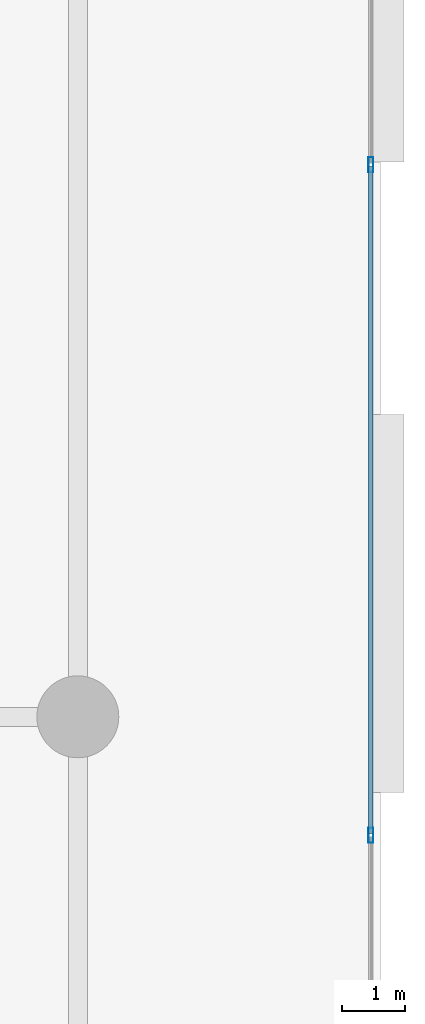
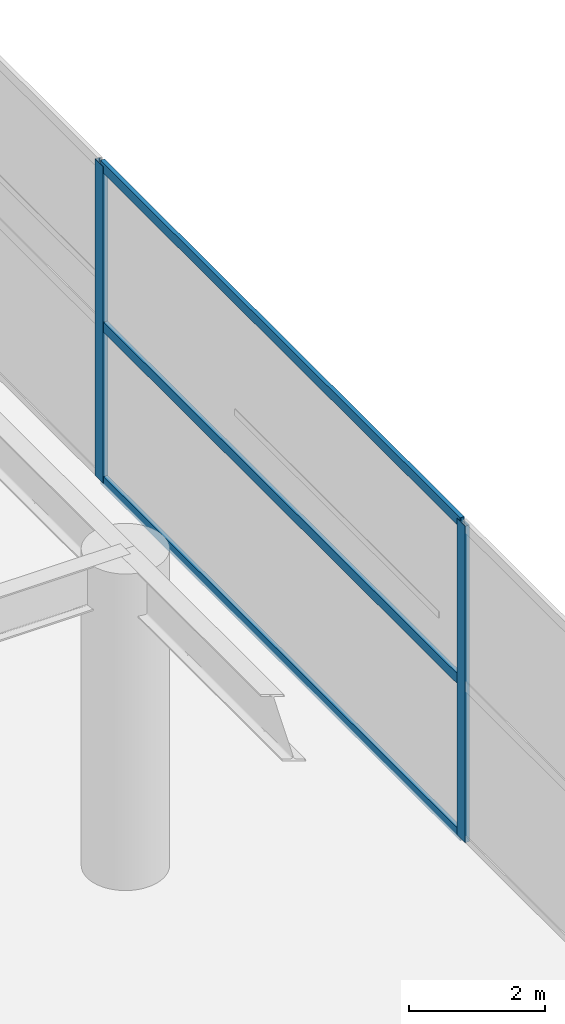
# One storey, part 8 of 20: 5 members, 1 element without a shape of its own.
"""IFC4 building model written with IfcOpenShell, lengths in metres."""

from ifc_helpers import new_model, si_unit, direction, frame, origin, origin_2d, place, context, subcontext, project, spatial, hollow_rectangle, extrude, material, layer, layer_set, material_profile, profile_set, type_object, element, aggregate, save


model = new_model("IFC4")

# Units and contexts
model_context = context("Model", 3, precision=1e-05, world=origin(), true_north=direction((0.0, 1.0)))
body_context = subcontext(model_context, "Body", "Model", "MODEL_VIEW")
ifc_project = project(units=[si_unit("LENGTHUNIT", "METRE"), si_unit("AREAUNIT", "SQUARE_METRE"), si_unit("VOLUMEUNIT", "CUBIC_METRE"), si_unit("PLANEANGLEUNIT", "RADIAN"), si_unit("MASSUNIT", "GRAM", prefix="KILO")], contexts=[model_context])

# Site, building, storey
site_placement = place(None, origin())
site = spatial("IfcSite", under=ifc_project, at=site_placement, CompositionType="ELEMENT")
building_placement = place(site_placement, origin())
building = spatial("IfcBuilding", under=site, at=building_placement, Name="Calvorn Quay Hotel", CompositionType="ELEMENT")
storey_placement = place(building_placement, origin())
storey = spatial("IfcBuildingStorey", under=building, at=storey_placement, Name="L00", CompositionType="ELEMENT", Elevation=0.0)

# Curtain wall, members
ifc_material_1 = material(Name="Pale Anodised Aluminium and Low-E Glass", Category="aluminium")
ifc_layer = layer(ifc_material_1, 0.219970703125)
ifc_layer_set = layer_set([ifc_layer], Name="CW-SYS-POD")
curtain_wall_type = type_object("IfcCurtainWallType", Name="CW-SYS-POD", PredefinedType="NOTDEFINED", material=ifc_layer_set)
curtain_wall_placement = place(storey_placement, origin())
curtain_wall = element("IfcCurtainWall", 1, at=curtain_wall_placement, inside=storey, type_object=curtain_wall_type, Name="L00 Waterfront Promenade Curtain Wall", PredefinedType="NOTDEFINED")
ifc_material_2 = material(Name="Pale Anodised Aluminium 6063-T6", Category="aluminium")
ifc_material_profile_1 = material_profile(ifc_material_2, hollow_rectangle(XDim=0.080078125, YDim=0.239990234375, WallThickness=0.0048828125, at=origin_2d()), Name="ALU-M240x80x5")
ifc_profile_set_1 = profile_set([ifc_material_profile_1], Name="Pale Anodised Aluminium 6063-T6")
member_type_1 = type_object("IfcMemberType", Name="CW-SYS-POD-MUL", PredefinedType="MULLION", material=ifc_profile_set_1)
member_1_placement = place(storey_placement, frame((83.85009765625, 34.320068359375, 0.0), z_axis=(0.0, 0.0, 1.0), x_axis=(-1.0, 0.0, 0.0)))
member_1 = element("IfcMember", 2, at=member_1_placement, type_object=member_type_1, Name="CW-L00-E1 mullion 4", PredefinedType="MULLION", context=body_context, shape_type="SweptSolid", body=[
    extrude(hollow_rectangle(XDim=0.080078125, YDim=0.239990234375, WallThickness=0.0048828125, at=origin_2d()), origin(), (0.0, 0.0, 1.0), 5.679931640625),
])
member_2_placement = place(storey_placement, frame((83.85009765625, 44.9599609375, 0.0), z_axis=(0.0, 0.0, 1.0), x_axis=(-1.0, 0.0, 0.0)))
member_2 = element("IfcMember", 3, at=member_2_placement, type_object=member_type_1, Name="CW-L00-E1 mullion 5", PredefinedType="MULLION", context=body_context, shape_type="SweptSolid", body=[
    extrude(hollow_rectangle(XDim=0.080078125, YDim=0.239990234375, WallThickness=0.0048828125, at=origin_2d()), origin(), (0.0, 0.0, 1.0), 5.679931640625),
])
ifc_material_3 = material(Name="Pale Anodised Aluminium 6063-T6", Category="aluminium")
ifc_material_profile_2 = material_profile(ifc_material_3, hollow_rectangle(XDim=0.070068359375, YDim=0.179931640625, WallThickness=0.00390625, at=origin_2d()), Name="ALU-T180x70x4")
ifc_profile_set_2 = profile_set([ifc_material_profile_2], Name="Pale Anodised Aluminium 6063-T6")
member_type_2 = type_object("IfcMemberType", Name="CW-SYS-POD-TRN", PredefinedType="USERDEFINED", material=ifc_profile_set_2)
member_3_placement = place(storey_placement, frame((83.85009765625, 34.35009765625, 0.030029296875), z_axis=(0.0, 1.0, 0.0), x_axis=(-1.0, 0.0, 0.0)))
member_3 = element("IfcMember", 4, at=member_3_placement, type_object=member_type_2, Name="CW-L00-E1 transom 4.1", ObjectType="TRANSOM", PredefinedType="USERDEFINED", context=body_context, shape_type="SweptSolid", body=[
    extrude(hollow_rectangle(XDim=0.070068359375, YDim=0.179931640625, WallThickness=0.00390625, at=origin_2d()), origin(), (0.0, 0.0, 1.0), 10.579833984375),
])
member_4_placement = place(storey_placement, frame((83.85009765625, 34.35009765625, 2.800048828125), z_axis=(0.0, 1.0, 0.0), x_axis=(-1.0, 0.0, 0.0)))
member_4 = element("IfcMember", 5, at=member_4_placement, type_object=member_type_2, Name="CW-L00-E1 transom 4.2", ObjectType="TRANSOM", PredefinedType="USERDEFINED", context=body_context, shape_type="SweptSolid", body=[
    extrude(hollow_rectangle(XDim=0.070068359375, YDim=0.179931640625, WallThickness=0.00390625, at=origin_2d()), origin(), (0.0, 0.0, 1.0), 10.579833984375),
])
member_5_placement = place(storey_placement, frame((83.85009765625, 34.35009765625, 5.64990234375), z_axis=(0.0, 1.0, 0.0), x_axis=(-1.0, 0.0, 0.0)))
member_5 = element("IfcMember", 6, at=member_5_placement, type_object=member_type_2, Name="CW-L00-E1 transom 4.3", ObjectType="TRANSOM", PredefinedType="USERDEFINED", context=body_context, shape_type="SweptSolid", body=[
    extrude(hollow_rectangle(XDim=0.070068359375, YDim=0.179931640625, WallThickness=0.00390625, at=origin_2d()), origin(), (0.0, 0.0, 1.0), 10.579833984375),
])
aggregate(curtain_wall, [member_1, member_2, member_3, member_4, member_5])

save(model, "model.ifc")
